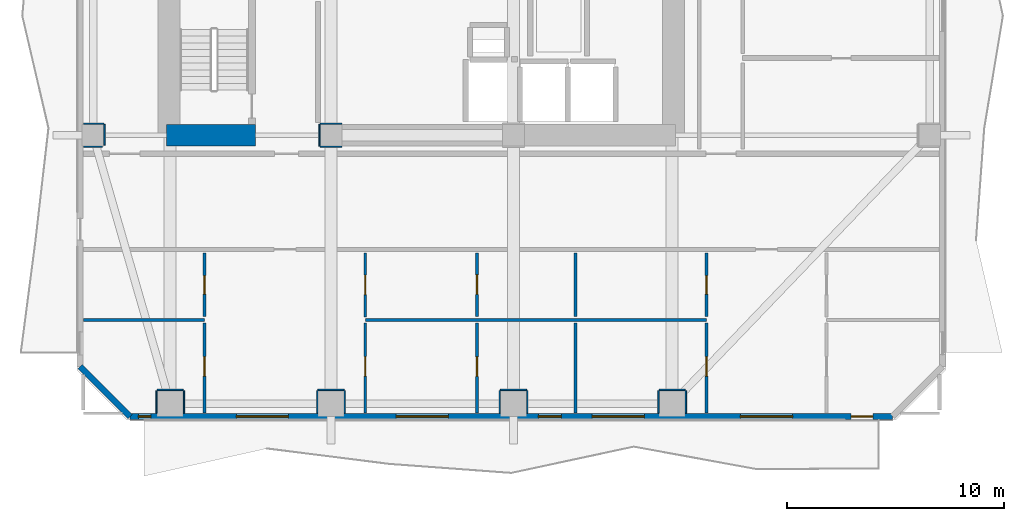
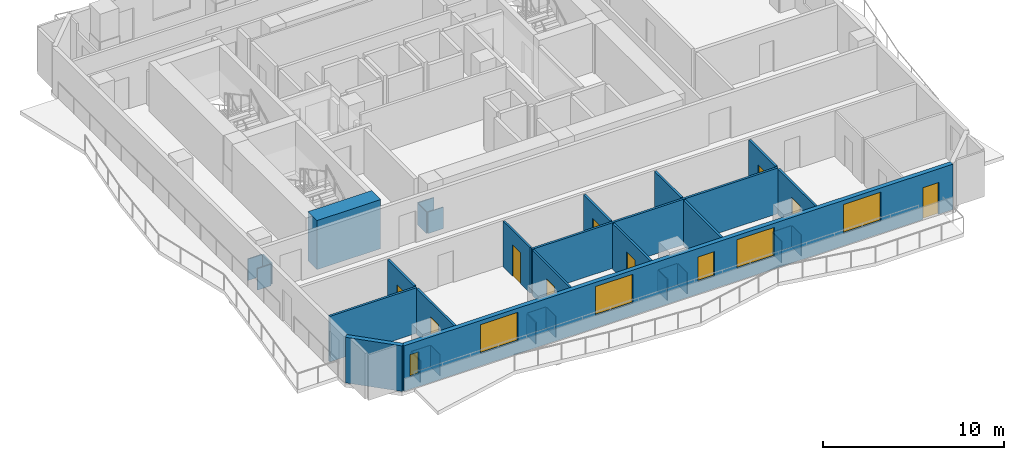
# One storey, part 2 of 9: 33 walls, 9 doors, 6 windows, 15 openings.
"""IFC4 building model written with IfcOpenShell, lengths in metres."""

from ifc_helpers import new_model, si_unit, direction, frame, frame_2d, origin, place, context, subcontext, project, spatial, rectangle, extrude, material, layer, layer_set, type_object, element, fill, save


model = new_model("IFC4")

# Units and contexts
model_context = context("Model", 3, precision=1e-05, world=origin(), true_north=direction((0.0, 1.0)))
body_context = subcontext(model_context, "Body", "Model", "MODEL_VIEW")
ifc_project = project(units=[si_unit("LENGTHUNIT", "METRE"), si_unit("AREAUNIT", "SQUARE_METRE"), si_unit("VOLUMEUNIT", "CUBIC_METRE"), si_unit("PLANEANGLEUNIT", "RADIAN"), si_unit("MASSUNIT", "GRAM", prefix="KILO")], contexts=[model_context])

# Site, building, storey
site_placement = place(None, origin())
site = spatial("IfcSite", under=ifc_project, at=site_placement, CompositionType="ELEMENT")
building_placement = place(site_placement, origin())
building = spatial("IfcBuilding", under=site, at=building_placement, Name="Solanera Arch Residences", CompositionType="ELEMENT")
storey_placement = place(building_placement, frame((0.0, 0.0, 135.9599609375)))
storey = spatial("IfcBuildingStorey", under=building, at=storey_placement, Name="L39", CompositionType="ELEMENT", Elevation=135.9599609375)

# Walls
ifc_material_1 = material(Name="Fire-Rated Gypsum Stud Partition", Category="gypsum")
ifc_layer_1 = layer(ifc_material_1, 0.06005859375)
ifc_layer_set_1 = layer_set([ifc_layer_1], Name="Fire-Rated Gypsum Stud Partition")
wall_type_1 = type_object("IfcWallType", Name="Column Acoustic Furring Wall 60", PredefinedType="PARTITIONING", material=ifc_layer_set_1)
for number, where, z_axis, x_axis, name in (
    (1, (20.300048828125, 21.468017578125, 0.0), (0.0, 0.0, 1.0), (1.0, 0.0, 0.0), "L39 Column Furring 1S"),
    (2, (20.300048828125, 22.531982421875, 0.0), (0.0, 0.0, 1.0), (1.0, 0.0, 0.0), "L39 Column Furring 1N"),
    (3, (20.26806640625, 21.5, 0.0), (0.0, 0.0, 1.0), (0.0, 1.0, 0.0), "L39 Column Furring 1W"),
):
    element("IfcWall", number, at=place(storey_placement, frame(where, z_axis=z_axis, x_axis=x_axis)), inside=storey, type_object=wall_type_1, Name=name, PredefinedType="PARTITIONING", context=body_context, shape_type="SweptSolid", body=[
        extrude(rectangle(XDim=1.0, YDim=0.06005859375, at=frame_2d((0.5, 0.0))), origin(), (0.0, 0.0, 1.0), 1.449951171875),
    ])
wall_1_placement = place(storey_placement, frame((12.800048828125, 10.281982421875, 0.0), z_axis=(0.0, 0.0, 1.0), x_axis=(1.0, 0.0, 0.0)))
element("IfcWall", 4, at=wall_1_placement, inside=storey, type_object=wall_type_1, Name="L39 Column Furring 9N", PredefinedType="PARTITIONING", context=body_context, shape_type="SweptSolid", body=[
    extrude(rectangle(XDim=1.199951171875, YDim=0.06005859375, at=frame_2d((0.60009765625, 0.0))), origin(), (0.0, 0.0, 1.0), 1.449951171875),
])
for number, where, z_axis, x_axis, name in (
    (5, (12.76806640625, 9.2099609375, 0.0), (0.0, 0.0, 1.0), (0.0, 1.0, 0.0), "L39 Column Furring 9W"),
    (6, (14.031982421875, 9.2099609375, 0.0), (0.0, 0.0, 1.0), (0.0, 1.0, 0.0), "L39 Column Furring 9E"),
):
    element("IfcWall", number, at=place(storey_placement, frame(where, z_axis=z_axis, x_axis=x_axis)), inside=storey, type_object=wall_type_1, Name=name, PredefinedType="PARTITIONING", context=body_context, shape_type="SweptSolid", body=[
        extrude(rectangle(XDim=1.0400390625, YDim=0.06005859375, at=frame_2d((0.52001953125, 0.0))), origin(), (0.0, 0.0, 1.0), 1.449951171875),
    ])
wall_2_placement = place(storey_placement, frame((20.199951171875, 10.281982421875, 0.0), z_axis=(0.0, 0.0, 1.0), x_axis=(1.0, 0.0, 0.0)))
element("IfcWall", 7, at=wall_2_placement, inside=storey, type_object=wall_type_1, Name="L39 Column Furring 11N", PredefinedType="PARTITIONING", context=body_context, shape_type="SweptSolid", body=[
    extrude(rectangle(XDim=1.199951171875, YDim=0.06005859375, at=frame_2d((0.60009765625, 0.0))), origin(), (0.0, 0.0, 1.0), 1.449951171875),
])
for number, where, z_axis, x_axis, name in (
    (8, (20.16796875, 9.2099609375, 0.0), (0.0, 0.0, 1.0), (0.0, 1.0, 0.0), "L39 Column Furring 11W"),
    (9, (21.431884765625, 9.2099609375, 0.0), (0.0, 0.0, 1.0), (0.0, 1.0, 0.0), "L39 Column Furring 11E"),
):
    element("IfcWall", number, at=place(storey_placement, frame(where, z_axis=z_axis, x_axis=x_axis)), inside=storey, type_object=wall_type_1, Name=name, PredefinedType="PARTITIONING", context=body_context, shape_type="SweptSolid", body=[
        extrude(rectangle(XDim=1.0400390625, YDim=0.06005859375, at=frame_2d((0.52001953125, 0.0))), origin(), (0.0, 0.0, 1.0), 1.449951171875),
    ])
wall_3_placement = place(storey_placement, frame((28.60009765625, 10.281982421875, 0.0), z_axis=(0.0, 0.0, 1.0), x_axis=(1.0, 0.0, 0.0)))
element("IfcWall", 10, at=wall_3_placement, inside=storey, type_object=wall_type_1, Name="L39 Column Furring 13N", PredefinedType="PARTITIONING", context=body_context, shape_type="SweptSolid", body=[
    extrude(rectangle(XDim=1.199951171875, YDim=0.06005859375, at=frame_2d((0.60009765625, 0.0))), origin(), (0.0, 0.0, 1.0), 1.449951171875),
])
for number, where, z_axis, x_axis, name in (
    (11, (28.568115234375, 9.2099609375, 0.0), (0.0, 0.0, 1.0), (0.0, 1.0, 0.0), "L39 Column Furring 13W"),
    (12, (29.83203125, 9.2099609375, 0.0), (0.0, 0.0, 1.0), (0.0, 1.0, 0.0), "L39 Column Furring 13E"),
):
    element("IfcWall", number, at=place(storey_placement, frame(where, z_axis=z_axis, x_axis=x_axis)), inside=storey, type_object=wall_type_1, Name=name, PredefinedType="PARTITIONING", context=body_context, shape_type="SweptSolid", body=[
        extrude(rectangle(XDim=1.0400390625, YDim=0.06005859375, at=frame_2d((0.52001953125, 0.0))), origin(), (0.0, 0.0, 1.0), 1.449951171875),
    ])
wall_4_placement = place(storey_placement, frame((35.89990234375, 10.281982421875, 0.0), z_axis=(0.0, 0.0, 1.0), x_axis=(1.0, 0.0, 0.0)))
element("IfcWall", 13, at=wall_4_placement, inside=storey, type_object=wall_type_1, Name="L39 Column Furring 15N", PredefinedType="PARTITIONING", context=body_context, shape_type="SweptSolid", body=[
    extrude(rectangle(XDim=1.2001953125, YDim=0.06005859375, at=frame_2d((0.60009765625, 0.0))), origin(), (0.0, 0.0, 1.0), 1.449951171875),
])
for number, where, z_axis, x_axis, name in (
    (14, (35.867919921875, 9.2099609375, 0.0), (0.0, 0.0, 1.0), (0.0, 1.0, 0.0), "L39 Column Furring 15W"),
    (15, (37.132080078125, 9.2099609375, 0.0), (0.0, 0.0, 1.0), (0.0, 1.0, 0.0), "L39 Column Furring 15E"),
):
    element("IfcWall", number, at=place(storey_placement, frame(where, z_axis=z_axis, x_axis=x_axis)), inside=storey, type_object=wall_type_1, Name=name, PredefinedType="PARTITIONING", context=body_context, shape_type="SweptSolid", body=[
        extrude(rectangle(XDim=1.0400390625, YDim=0.06005859375, at=frame_2d((0.52001953125, 0.0))), origin(), (0.0, 0.0, 1.0), 1.449951171875),
    ])
wall_5_placement = place(storey_placement, frame((9.409912109375, 21.468017578125, 0.0), z_axis=(0.0, 0.0, 1.0), x_axis=(1.0, 0.0, 0.0)))
element("IfcWall", 16, at=wall_5_placement, inside=storey, type_object=wall_type_1, Name="L39 Column Furring 17S", PredefinedType="PARTITIONING", context=body_context, shape_type="SweptSolid", body=[
    extrude(rectangle(XDim=0.87109375, YDim=0.06005859375, at=frame_2d((0.435546875, 0.0))), origin(), (0.0, 0.0, 1.0), 1.449951171875),
])
wall_6_placement = place(storey_placement, frame((9.409912109375, 22.531982421875, 0.0), z_axis=(0.0, 0.0, 1.0), x_axis=(1.0, 0.0, 0.0)))
element("IfcWall", 17, at=wall_6_placement, inside=storey, type_object=wall_type_1, Name="L39 Column Furring 17N", PredefinedType="PARTITIONING", context=body_context, shape_type="SweptSolid", body=[
    extrude(rectangle(XDim=0.940185546875, YDim=0.06005859375, at=frame_2d((0.47021484375, 0.0))), origin(), (0.0, 0.0, 1.0), 1.449951171875),
])
wall_7_placement = place(storey_placement, frame((10.382080078125, 21.5439453125, 0.0), z_axis=(0.0, 0.0, 1.0), x_axis=(0.0, 1.0, 0.0)))
element("IfcWall", 18, at=wall_7_placement, inside=storey, type_object=wall_type_1, Name="L39 Column Furring 17E", PredefinedType="PARTITIONING", context=body_context, shape_type="SweptSolid", body=[
    extrude(rectangle(XDim=0.9560546875, YDim=0.06005859375, at=frame_2d((0.47802734375, 0.0))), origin(), (0.0, 0.0, 1.0), 1.449951171875),
])
ifc_material_2 = material(Name="Concrete C55/67 (f'c = 60 MPa)", Category="concrete")
ifc_layer_2 = layer(ifc_material_2, 1.0)
ifc_layer_set_2 = layer_set([ifc_layer_2], Name="Concrete C55/67 (f'c = 60 MPa)")
wall_type_2 = type_object("IfcWallType", Name="Core Shear Wall CW-1000", PredefinedType="SHEAR", material=ifc_layer_set_2)
wall_8_placement = place(storey_placement, frame((13.239990234375, 22.0, 0.0), z_axis=(0.0, 0.0, 1.0), x_axis=(1.0, 0.0, 0.0)))
element("IfcWall", 19, at=wall_8_placement, inside=storey, type_object=wall_type_2, Name="L39 South-West Core Shear Wall", PredefinedType="SHEAR", context=body_context, shape_type="SweptSolid", body=[
    extrude(rectangle(XDim=4.080078125, YDim=1.0, at=frame_2d((2.0400390625, 0.0))), origin(), (0.0, 0.0, 1.0), 3.320068359375),
])

# Wall, openings, door, windows
ifc_material_3 = material(Name="Precast Concrete C35/45", Category="concrete")
ifc_layer_3 = layer(ifc_material_3, 0.280029296875)
ifc_layer_set_3 = layer_set([ifc_layer_3], Name="Precast Concrete C35/45")
wall_type_3 = type_object("IfcWallType", Name="Exterior Wall Precast Masonry-Frame 280", PredefinedType="STANDARD", material=ifc_layer_set_3)
wall_9_placement = place(storey_placement, frame((46.64501953125, 9.054931640625, 0.0), z_axis=(0.0, 0.0, 1.0), x_axis=(-1.0, 0.0, 0.0)))
wall_9 = element("IfcWall", 20, at=wall_9_placement, inside=storey, type_object=wall_type_3, Name="L39 Tower Exterior Precast Masonry-Frame Wall S", PredefinedType="STANDARD", context=body_context, shape_type="SweptSolid", body=[
    extrude(rectangle(XDim=35.090087890625, YDim=0.280029296875, at=frame_2d((17.544921875, 0.0))), origin(), (0.0, 0.0, 1.0), 3.080078125),
])
opening_1_placement = place(wall_9_placement, frame((0.904052734375, 0.0, 0.0)))
opening_1 = element("IfcOpeningElement", 21, at=opening_1_placement, cuts=wall_9, Name="Opening DB-01", PredefinedType="OPENING", context=body_context, shape_type="SweptSolid", body=[
    extrude(rectangle(XDim=1.0, YDim=2.14990234375, at=frame_2d((0.5, 1.074951171875))), frame((0.0, 0.14990234375, 0.0), z_axis=(0.0, -1.0, 0.0), x_axis=(1.0, 0.0, 0.0)), (0.0, 0.0, 1.0), 0.3),
])
opening_2_placement = place(wall_9_placement, frame((27.804931640625, 0.0, 0.85009765625)))
opening_2 = element("IfcOpeningElement", 22, at=opening_2_placement, cuts=wall_9, Name="Opening W-05", PredefinedType="OPENING", context=body_context, shape_type="SweptSolid", body=[
    extrude(rectangle(XDim=2.39990234375, YDim=1.949951171875, at=frame_2d((1.199951171875, 0.97509765625))), frame((0.0, 0.14990234375, 0.0), z_axis=(0.0, -1.0, 0.0), x_axis=(1.0, 0.0, 0.0)), (0.0, 0.0, 1.0), 0.3),
])
opening_3_placement = place(wall_9_placement, frame((34.133056640625, 0.0, 0.85009765625)))
opening_3 = element("IfcOpeningElement", 23, at=opening_3_placement, cuts=wall_9, Name="Opening W-14", PredefinedType="OPENING", context=body_context, shape_type="SweptSolid", body=[
    extrude(rectangle(XDim=0.580078125, YDim=1.5, at=frame_2d((0.2900390625, 0.75))), frame((0.0, 0.14990234375, 0.0), z_axis=(0.0, -1.0, 0.0), x_axis=(1.0, 0.0, 0.0)), (0.0, 0.0, 1.0), 0.3),
])
opening_4_placement = place(wall_9_placement, frame((20.445068359375, 0.0, 0.85009765625)))
opening_4 = element("IfcOpeningElement", 24, at=opening_4_placement, cuts=wall_9, Name="Opening W-05", PredefinedType="OPENING", context=body_context, shape_type="SweptSolid", body=[
    extrude(rectangle(XDim=2.39990234375, YDim=1.949951171875, at=frame_2d((1.199951171875, 0.97509765625))), frame((0.0, 0.14990234375, 0.0), z_axis=(0.0, -1.0, 0.0), x_axis=(1.0, 0.0, 0.0)), (0.0, 0.0, 1.0), 0.3),
])
opening_5_placement = place(wall_9_placement, frame((15.248046875, 0.0, 0.85009765625)))
opening_5 = element("IfcOpeningElement", 25, at=opening_5_placement, cuts=wall_9, Name="Opening W-07", PredefinedType="OPENING", context=body_context, shape_type="SweptSolid", body=[
    extrude(rectangle(XDim=1.050048828125, YDim=1.64990234375, at=frame_2d((0.52490234375, 0.824951171875))), frame((0.0, 0.14990234375, 0.0), z_axis=(0.0, -1.0, 0.0), x_axis=(1.0, 0.0, 0.0)), (0.0, 0.0, 1.0), 0.3),
])
opening_6_placement = place(wall_9_placement, frame((4.60205078125, 0.0, 0.85009765625)))
opening_6 = element("IfcOpeningElement", 26, at=opening_6_placement, cuts=wall_9, Name="Opening W-05", PredefinedType="OPENING", context=body_context, shape_type="SweptSolid", body=[
    extrude(rectangle(XDim=2.39990234375, YDim=1.949951171875, at=frame_2d((1.199951171875, 0.97509765625))), frame((0.0, 0.14990234375, 0.0), z_axis=(0.0, -1.0, 0.0), x_axis=(1.0, 0.0, 0.0)), (0.0, 0.0, 1.0), 0.3),
])
opening_7_placement = place(wall_9_placement, frame((11.423095703125, 0.0, 0.85009765625)))
opening_7 = element("IfcOpeningElement", 27, at=opening_7_placement, cuts=wall_9, Name="Opening W-05", PredefinedType="OPENING", context=body_context, shape_type="SweptSolid", body=[
    extrude(rectangle(XDim=2.39990234375, YDim=1.949951171875, at=frame_2d((1.199951171875, 0.97509765625))), frame((0.0, 0.14990234375, 0.0), z_axis=(0.0, -1.0, 0.0), x_axis=(1.0, 0.0, 0.0)), (0.0, 0.0, 1.0), 0.3),
])
ifc_material_4 = material(Name="Anodised Aluminium Alloy 6063-T6", Category="aluminium")
door_type_1 = type_object("IfcDoorType", Name="Glazed Balcony Swing Door DB-01", OperationType="NOTDEFINED", PredefinedType="DOOR", material=ifc_material_4)
door_1_placement = place(opening_1_placement, origin())
door_1 = element("IfcDoor", 28, at=door_1_placement, inside=storey, type_object=door_type_1, Name="DR-L39-OUT-01", OperationType="SINGLE_SWING_LEFT", OverallHeight=2.14990234375, OverallWidth=1.0, PredefinedType="DOOR", context=body_context, shape_type="SweptSolid", body=[
    extrude(rectangle(XDim=1.0, YDim=2.14990234375, at=frame_2d((0.5, 1.074951171875))), frame((0.0, 0.02490234375, 0.0), z_axis=(0.0, -1.0, 0.0), x_axis=(1.0, 0.0, 0.0)), (0.0, 0.0, 1.0), 0.050048828125),
])
fill(opening_1, door_1)
ifc_material_5 = material(Name="Double Glazed Low-E Laminated Glass", Category="glass")
window_type_1 = type_object("IfcWindowType", Name="Punched Window W-05", PartitioningType="TRIPLE_PANEL_VERTICAL", PredefinedType="WINDOW", material=ifc_material_5)
window_1_placement = place(opening_2_placement, origin())
window_1 = element("IfcWindow", 29, at=window_1_placement, inside=storey, type_object=window_type_1, Name="L39 3901-LIV Punched Window", OverallHeight=1.949951171875, OverallWidth=2.39990234375, PartitioningType="SINGLE_PANEL", PredefinedType="WINDOW", context=body_context, shape_type="SweptSolid", body=[
    extrude(rectangle(XDim=2.39990234375, YDim=1.949951171875, at=frame_2d((1.199951171875, 0.97509765625))), frame((0.0, 0.030029296875, 0.0), z_axis=(0.0, -1.0, 0.0), x_axis=(1.0, 0.0, 0.0)), (0.0, 0.0, 1.0), 0.06005859375),
])
fill(opening_2, window_1)
window_2_placement = place(opening_4_placement, origin())
window_2 = element("IfcWindow", 30, at=window_2_placement, inside=storey, type_object=window_type_1, Name="L39 3901-BR2 Punched Window", OverallHeight=1.949951171875, OverallWidth=2.39990234375, PartitioningType="SINGLE_PANEL", PredefinedType="WINDOW", context=body_context, shape_type="SweptSolid", body=[
    extrude(rectangle(XDim=2.39990234375, YDim=1.949951171875, at=frame_2d((1.199951171875, 0.97509765625))), frame((0.0, 0.030029296875, 0.0), z_axis=(0.0, -1.0, 0.0), x_axis=(1.0, 0.0, 0.0)), (0.0, 0.0, 1.0), 0.06005859375),
])
fill(opening_4, window_2)
window_3_placement = place(opening_6_placement, origin())
window_3 = element("IfcWindow", 31, at=window_3_placement, inside=storey, type_object=window_type_1, Name="L39 3902-LIV Punched Window", OverallHeight=1.949951171875, OverallWidth=2.39990234375, PartitioningType="SINGLE_PANEL", PredefinedType="WINDOW", context=body_context, shape_type="SweptSolid", body=[
    extrude(rectangle(XDim=2.39990234375, YDim=1.949951171875, at=frame_2d((1.199951171875, 0.97509765625))), frame((0.0, 0.030029296875, 0.0), z_axis=(0.0, -1.0, 0.0), x_axis=(1.0, 0.0, 0.0)), (0.0, 0.0, 1.0), 0.06005859375),
])
fill(opening_6, window_3)
window_4_placement = place(opening_7_placement, origin())
window_4 = element("IfcWindow", 32, at=window_4_placement, inside=storey, type_object=window_type_1, Name="L39 3902-BR1 Punched Window", OverallHeight=1.949951171875, OverallWidth=2.39990234375, PartitioningType="SINGLE_PANEL", PredefinedType="WINDOW", context=body_context, shape_type="SweptSolid", body=[
    extrude(rectangle(XDim=2.39990234375, YDim=1.949951171875, at=frame_2d((1.199951171875, 0.97509765625))), frame((0.0, 0.030029296875, 0.0), z_axis=(0.0, -1.0, 0.0), x_axis=(1.0, 0.0, 0.0)), (0.0, 0.0, 1.0), 0.06005859375),
])
fill(opening_7, window_4)
ifc_material_6 = material(Name="Double Glazed Low-E Laminated Glass", Category="glass")
window_type_2 = type_object("IfcWindowType", Name="Punched Window W-07", PartitioningType="SINGLE_PANEL", PredefinedType="WINDOW", material=ifc_material_6)
window_5_placement = place(opening_5_placement, origin())
window_5 = element("IfcWindow", 33, at=window_5_placement, inside=storey, type_object=window_type_2, Name="L39 3901-BR3 Punched Window", OverallHeight=1.64990234375, OverallWidth=1.050048828125, PartitioningType="SINGLE_PANEL", PredefinedType="WINDOW", context=body_context, shape_type="SweptSolid", body=[
    extrude(rectangle(XDim=1.050048828125, YDim=1.64990234375, at=frame_2d((0.52490234375, 0.824951171875))), frame((0.0, 0.030029296875, 0.0), z_axis=(0.0, -1.0, 0.0), x_axis=(1.0, 0.0, 0.0)), (0.0, 0.0, 1.0), 0.06005859375),
])
fill(opening_5, window_5)
ifc_material_7 = material(Name="Double Glazed Low-E Laminated Glass", Category="glass")
window_type_3 = type_object("IfcWindowType", Name="Punched Window W-14", PartitioningType="SINGLE_PANEL", PredefinedType="WINDOW", material=ifc_material_7)
window_6_placement = place(opening_3_placement, origin())
window_6 = element("IfcWindow", 34, at=window_6_placement, inside=storey, type_object=window_type_3, Name="L39 3901-BR1 Punched Window", OverallHeight=1.5, OverallWidth=0.580078125, PartitioningType="SINGLE_PANEL", PredefinedType="WINDOW", context=body_context, shape_type="SweptSolid", body=[
    extrude(rectangle(XDim=0.580078125, YDim=1.5, at=frame_2d((0.2900390625, 0.75))), frame((0.0, 0.030029296875, 0.0), z_axis=(0.0, -1.0, 0.0), x_axis=(1.0, 0.0, 0.0)), (0.0, 0.0, 1.0), 0.06005859375),
])
fill(opening_3, window_6)

# Wall
wall_10_placement = place(storey_placement, frame((11.554931640625, 9.054931640625, 0.0), z_axis=(0.0, 0.0, 1.0), x_axis=(-0.707106781187, 0.707106781187, 0.0)))
element("IfcWall", 35, at=wall_10_placement, inside=storey, type_object=wall_type_3, Name="L39 Tower Exterior Precast Masonry-Frame Wall CH7", PredefinedType="STANDARD", context=body_context, shape_type="SweptSolid", body=[
    extrude(rectangle(XDim=3.252685546875, YDim=0.280029296875, at=frame_2d((1.62646484375, 0.0))), origin(), (0.0, 0.0, 1.0), 3.080078125),
])

# Wall, opening, door
ifc_material_8 = material(Name="Fire-Rated Gypsum Stud Partition", Category="gypsum")
ifc_layer_4 = layer(ifc_material_8, 0.1201171875)
ifc_layer_set_4 = layer_set([ifc_layer_4], Name="Fire-Rated Gypsum Stud Partition")
wall_type_4 = type_object("IfcWallType", Name="Unit Drywall Partition 120", PredefinedType="PARTITIONING", material=ifc_layer_set_4)
wall_11_placement = place(storey_placement, frame((22.3798828125, 9.20703125, 0.0), z_axis=(0.0, 0.0, 1.0), x_axis=(0.0, 1.0, 0.0)))
wall_11 = element("IfcWall", 36, at=wall_11_placement, inside=storey, type_object=wall_type_4, Name="L39 Interior Partition V21 1", PredefinedType="PARTITIONING", context=body_context, shape_type="SweptSolid", body=[
    extrude(rectangle(XDim=4.158935546875, YDim=0.1201171875, at=frame_2d((2.07958984375, 0.0))), origin(), (0.0, 0.0, 1.0), 3.080078125),
])
opening_8_placement = place(wall_11_placement, frame((1.7080078125, 0.0, 0.0)))
opening_8 = element("IfcOpeningElement", 37, at=opening_8_placement, cuts=wall_11, Name="Opening DI-03", PredefinedType="OPENING", context=body_context, shape_type="SweptSolid", body=[
    extrude(rectangle(XDim=0.89990234375, YDim=2.10009765625, at=frame_2d((0.449951171875, 1.050048828125))), frame((0.0, 0.070068359375, 0.0), z_axis=(0.0, -1.0, 0.0), x_axis=(1.0, 0.0, 0.0)), (0.0, 0.0, 1.0), 0.1401),
])
ifc_material_9 = material(Name="Fire-Rated Architectural Hardwood", Category="wood")
door_type_2 = type_object("IfcDoorType", Name="Bedroom Swing Door DI-03", OperationType="NOTDEFINED", PredefinedType="DOOR", material=ifc_material_9)
door_2_placement = place(opening_8_placement, origin())
door_2 = element("IfcDoor", 38, at=door_2_placement, inside=storey, type_object=door_type_2, Name="DR-L39-IN-022", OperationType="SINGLE_SWING_LEFT", OverallHeight=2.10009765625, OverallWidth=0.89990234375, PredefinedType="DOOR", context=body_context, shape_type="SweptSolid", body=[
    extrude(rectangle(XDim=0.89990234375, YDim=2.10009765625, at=frame_2d((0.449951171875, 1.050048828125))), frame((0.0, 0.02490234375, 0.0), z_axis=(0.0, -1.0, 0.0), x_axis=(1.0, 0.0, 0.0)), (0.0, 0.0, 1.0), 0.050048828125),
])
fill(opening_8, door_2)

wall_12_placement = place(storey_placement, frame((22.3798828125, 13.64208984375, 0.0), z_axis=(0.0, 0.0, 1.0), x_axis=(0.0, 1.0, 0.0)))
wall_12 = element("IfcWall", 39, at=wall_12_placement, inside=storey, type_object=wall_type_4, Name="L39 Interior Partition V21 2", PredefinedType="PARTITIONING", context=body_context, shape_type="SweptSolid", body=[
    extrude(rectangle(XDim=2.949951171875, YDim=0.1201171875, at=frame_2d((1.47509765625, 0.0))), origin(), (0.0, 0.0, 1.0), 3.080078125),
])
opening_9_placement = place(wall_12_placement, frame((1.02197265625, 0.0, 0.0)))
opening_9 = element("IfcOpeningElement", 40, at=opening_9_placement, cuts=wall_12, Name="Opening DI-02", PredefinedType="OPENING", context=body_context, shape_type="SweptSolid", body=[
    extrude(rectangle(XDim=0.89990234375, YDim=2.10009765625, at=frame_2d((0.449951171875, 1.050048828125))), frame((0.0, 0.070068359375, 0.0), z_axis=(0.0, -1.0, 0.0), x_axis=(1.0, 0.0, 0.0)), (0.0, 0.0, 1.0), 0.1401),
])
ifc_material_10 = material(Name="Fire-Rated Architectural Hardwood", Category="wood")
door_type_3 = type_object("IfcDoorType", Name="Suite Room Swing Door DI-02", OperationType="NOTDEFINED", PredefinedType="DOOR", material=ifc_material_10)
door_3_placement = place(opening_9_placement, origin())
door_3 = element("IfcDoor", 41, at=door_3_placement, inside=storey, type_object=door_type_3, Name="DR-L39-IN-020", OperationType="SINGLE_SWING_LEFT", OverallHeight=2.10009765625, OverallWidth=0.89990234375, PredefinedType="DOOR", context=body_context, shape_type="SweptSolid", body=[
    extrude(rectangle(XDim=0.89990234375, YDim=2.10009765625, at=frame_2d((0.449951171875, 1.050048828125))), frame((0.0, 0.02490234375, 0.0), z_axis=(0.0, -1.0, 0.0), x_axis=(1.0, 0.0, 0.0)), (0.0, 0.0, 1.0), 0.050048828125),
])
fill(opening_9, door_3)

# Walls
ifc_material_11 = material(Name="Autoclaved Aerated Concrete Blockwork", Category="masonry")
ifc_layer_5 = layer(ifc_material_11, 0.139892578125)
ifc_layer_set_5 = layer_set([ifc_layer_5], Name="Autoclaved Aerated Concrete Blockwork")
wall_type_5 = type_object("IfcWallType", Name="Wet-Room Partition 140", PredefinedType="PARTITIONING", material=ifc_layer_set_5)
wall_13_placement = place(storey_placement, frame((9.406982421875, 13.50390625, 0.0), z_axis=(0.0, 0.0, 1.0), x_axis=(1.0, 0.0, 0.0)))
element("IfcWall", 42, at=wall_13_placement, inside=storey, type_object=wall_type_5, Name="L39 Interior Partition H14", PredefinedType="PARTITIONING", context=body_context, shape_type="SweptSolid", body=[
    extrude(rectangle(XDim=5.572998046875, YDim=0.139892578125, at=frame_2d((2.78662109375, 0.0))), origin(), (0.0, 0.0, 1.0), 3.080078125),
])
wall_14_placement = place(storey_placement, frame((22.3798828125, 13.50390625, 0.0), z_axis=(0.0, 0.0, 1.0), x_axis=(1.0, 0.0, 0.0)))
element("IfcWall", 43, at=wall_14_placement, inside=storey, type_object=wall_type_5, Name="L39 Interior Partition H15", PredefinedType="PARTITIONING", context=body_context, shape_type="SweptSolid", body=[
    extrude(rectangle(XDim=15.7001953125, YDim=0.139892578125, at=frame_2d((7.85009765625, 0.0))), origin(), (0.0, 0.0, 1.0), 3.080078125),
])

# Wall, opening, door
wall_15_placement = place(storey_placement, frame((14.97998046875, 9.20703125, 0.0), z_axis=(0.0, 0.0, 1.0), x_axis=(0.0, 1.0, 0.0)))
wall_15 = element("IfcWall", 44, at=wall_15_placement, inside=storey, type_object=wall_type_5, Name="L39 Interior Partition V14 1", PredefinedType="PARTITIONING", context=body_context, shape_type="SweptSolid", body=[
    extrude(rectangle(XDim=4.14892578125, YDim=0.139892578125, at=frame_2d((2.074462890625, 0.0))), origin(), (0.0, 0.0, 1.0), 3.080078125),
])
opening_10_placement = place(wall_15_placement, frame((1.7080078125, 0.0, 0.0)))
opening_10 = element("IfcOpeningElement", 45, at=opening_10_placement, cuts=wall_15, Name="Opening DI-03", PredefinedType="OPENING", context=body_context, shape_type="SweptSolid", body=[
    extrude(rectangle(XDim=0.89990234375, YDim=2.10009765625, at=frame_2d((0.449951171875, 1.050048828125))), frame((0.0, 0.079833984375, 0.0), z_axis=(0.0, -1.0, 0.0), x_axis=(1.0, 0.0, 0.0)), (0.0, 0.0, 1.0), 0.1599),
])
door_4_placement = place(opening_10_placement, origin())
door_4 = element("IfcDoor", 46, at=door_4_placement, inside=storey, type_object=door_type_2, Name="DR-L39-IN-019", OperationType="SINGLE_SWING_RIGHT", OverallHeight=2.10009765625, OverallWidth=0.89990234375, PredefinedType="DOOR", context=body_context, shape_type="SweptSolid", body=[
    extrude(rectangle(XDim=0.89990234375, YDim=2.10009765625, at=frame_2d((0.449951171875, 1.050048828125))), frame((0.0, 0.02490234375, 0.0), z_axis=(0.0, -1.0, 0.0), x_axis=(1.0, 0.0, 0.0)), (0.0, 0.0, 1.0), 0.050048828125),
])
fill(opening_10, door_4)

wall_16_placement = place(storey_placement, frame((14.97998046875, 13.652099609375, 0.0), z_axis=(0.0, 0.0, 1.0), x_axis=(0.0, 1.0, 0.0)))
wall_16 = element("IfcWall", 47, at=wall_16_placement, inside=storey, type_object=wall_type_5, Name="L39 Interior Partition V14 2", PredefinedType="PARTITIONING", context=body_context, shape_type="SweptSolid", body=[
    extrude(rectangle(XDim=2.929931640625, YDim=0.139892578125, at=frame_2d((1.46484375, 0.0))), origin(), (0.0, 0.0, 1.0), 3.080078125),
])
opening_11_placement = place(wall_16_placement, frame((1.031982421875, 0.0, 0.0)))
opening_11 = element("IfcOpeningElement", 48, at=opening_11_placement, cuts=wall_16, Name="Opening DI-05", PredefinedType="OPENING", context=body_context, shape_type="SweptSolid", body=[
    extrude(rectangle(XDim=0.860107421875, YDim=2.02001953125, at=frame_2d((0.43017578125, 1.010009765625))), frame((0.0, 0.079833984375, 0.0), z_axis=(0.0, -1.0, 0.0), x_axis=(1.0, 0.0, 0.0)), (0.0, 0.0, 1.0), 0.1599),
])
ifc_material_12 = material(Name="Fire-Rated Architectural Hardwood", Category="wood")
door_type_4 = type_object("IfcDoorType", Name="Bathroom Swing Door DI-05", OperationType="NOTDEFINED", PredefinedType="DOOR", material=ifc_material_12)
door_5_placement = place(opening_11_placement, origin())
door_5 = element("IfcDoor", 49, at=door_5_placement, inside=storey, type_object=door_type_4, Name="DR-L39-IN-018", OperationType="SINGLE_SWING_LEFT", OverallHeight=2.02001953125, OverallWidth=0.860107421875, PredefinedType="DOOR", context=body_context, shape_type="SweptSolid", body=[
    extrude(rectangle(XDim=0.860107421875, YDim=2.02001953125, at=frame_2d((0.43017578125, 1.010009765625))), frame((0.0, 0.02490234375, 0.0), z_axis=(0.0, -1.0, 0.0), x_axis=(1.0, 0.0, 0.0)), (0.0, 0.0, 1.0), 0.050048828125),
])
fill(opening_11, door_5)

wall_17_placement = place(storey_placement, frame((27.52001953125, 9.20703125, 0.0), z_axis=(0.0, 0.0, 1.0), x_axis=(0.0, 1.0, 0.0)))
wall_17 = element("IfcWall", 50, at=wall_17_placement, inside=storey, type_object=wall_type_5, Name="L39 Interior Partition V15 1", PredefinedType="PARTITIONING", context=body_context, shape_type="SweptSolid", body=[
    extrude(rectangle(XDim=4.14892578125, YDim=0.139892578125, at=frame_2d((2.074462890625, 0.0))), origin(), (0.0, 0.0, 1.0), 3.080078125),
])
opening_12_placement = place(wall_17_placement, frame((1.695068359375, 0.0, 0.0)))
opening_12 = element("IfcOpeningElement", 51, at=opening_12_placement, cuts=wall_17, Name="Opening DI-03", PredefinedType="OPENING", context=body_context, shape_type="SweptSolid", body=[
    extrude(rectangle(XDim=0.89990234375, YDim=2.10009765625, at=frame_2d((0.449951171875, 1.050048828125))), frame((0.0, 0.079833984375, 0.0), z_axis=(0.0, -1.0, 0.0), x_axis=(1.0, 0.0, 0.0)), (0.0, 0.0, 1.0), 0.1599),
])
door_6_placement = place(opening_12_placement, origin())
door_6 = element("IfcDoor", 52, at=door_6_placement, inside=storey, type_object=door_type_2, Name="DR-L39-IN-023", OperationType="SINGLE_SWING_RIGHT", OverallHeight=2.10009765625, OverallWidth=0.89990234375, PredefinedType="DOOR", context=body_context, shape_type="SweptSolid", body=[
    extrude(rectangle(XDim=0.89990234375, YDim=2.10009765625, at=frame_2d((0.449951171875, 1.050048828125))), frame((0.0, 0.02490234375, 0.0), z_axis=(0.0, -1.0, 0.0), x_axis=(1.0, 0.0, 0.0)), (0.0, 0.0, 1.0), 0.050048828125),
])
fill(opening_12, door_6)

wall_18_placement = place(storey_placement, frame((27.52001953125, 13.652099609375, 0.0), z_axis=(0.0, 0.0, 1.0), x_axis=(0.0, 1.0, 0.0)))
wall_18 = element("IfcWall", 53, at=wall_18_placement, inside=storey, type_object=wall_type_5, Name="L39 Interior Partition V15 2", PredefinedType="PARTITIONING", context=body_context, shape_type="SweptSolid", body=[
    extrude(rectangle(XDim=2.929931640625, YDim=0.139892578125, at=frame_2d((1.46484375, 0.0))), origin(), (0.0, 0.0, 1.0), 3.080078125),
])
opening_13_placement = place(wall_18_placement, frame((1.02490234375, 0.0, 0.0)))
opening_13 = element("IfcOpeningElement", 54, at=opening_13_placement, cuts=wall_18, Name="Opening DI-02", PredefinedType="OPENING", context=body_context, shape_type="SweptSolid", body=[
    extrude(rectangle(XDim=0.89990234375, YDim=2.10009765625, at=frame_2d((0.449951171875, 1.050048828125))), frame((0.0, 0.079833984375, 0.0), z_axis=(0.0, -1.0, 0.0), x_axis=(1.0, 0.0, 0.0)), (0.0, 0.0, 1.0), 0.1599),
])
door_7_placement = place(opening_13_placement, origin())
door_7 = element("IfcDoor", 55, at=door_7_placement, inside=storey, type_object=door_type_3, Name="DR-L39-IN-021", OperationType="SINGLE_SWING_RIGHT", OverallHeight=2.10009765625, OverallWidth=0.89990234375, PredefinedType="DOOR", context=body_context, shape_type="SweptSolid", body=[
    extrude(rectangle(XDim=0.89990234375, YDim=2.10009765625, at=frame_2d((0.449951171875, 1.050048828125))), frame((0.0, 0.02490234375, 0.0), z_axis=(0.0, -1.0, 0.0), x_axis=(1.0, 0.0, 0.0)), (0.0, 0.0, 1.0), 0.050048828125),
])
fill(opening_13, door_7)

# Walls
wall_19_placement = place(storey_placement, frame((32.0439453125, 9.20703125, 0.0), z_axis=(0.0, 0.0, 1.0), x_axis=(0.0, 1.0, 0.0)))
element("IfcWall", 56, at=wall_19_placement, inside=storey, type_object=wall_type_5, Name="L39 Interior Partition V18 1", PredefinedType="PARTITIONING", context=body_context, shape_type="SweptSolid", body=[
    extrude(rectangle(XDim=4.14892578125, YDim=0.139892578125, at=frame_2d((2.074462890625, 0.0))), origin(), (0.0, 0.0, 1.0), 3.080078125),
])
wall_20_placement = place(storey_placement, frame((32.0439453125, 13.652099609375, 0.0), z_axis=(0.0, 0.0, 1.0), x_axis=(0.0, 1.0, 0.0)))
element("IfcWall", 57, at=wall_20_placement, inside=storey, type_object=wall_type_5, Name="L39 Interior Partition V18 2", PredefinedType="PARTITIONING", context=body_context, shape_type="SweptSolid", body=[
    extrude(rectangle(XDim=2.929931640625, YDim=0.139892578125, at=frame_2d((1.46484375, 0.0))), origin(), (0.0, 0.0, 1.0), 3.080078125),
])

# Wall, opening, door
wall_21_placement = place(storey_placement, frame((38.080078125, 9.20703125, 0.0), z_axis=(0.0, 0.0, 1.0), x_axis=(0.0, 1.0, 0.0)))
wall_21 = element("IfcWall", 58, at=wall_21_placement, inside=storey, type_object=wall_type_5, Name="L39 Interior Partition V19 1", PredefinedType="PARTITIONING", context=body_context, shape_type="SweptSolid", body=[
    extrude(rectangle(XDim=4.14892578125, YDim=0.139892578125, at=frame_2d((2.074462890625, 0.0))), origin(), (0.0, 0.0, 1.0), 3.080078125),
])
opening_14_placement = place(wall_21_placement, frame((1.7080078125, 0.0, 0.0)))
opening_14 = element("IfcOpeningElement", 59, at=opening_14_placement, cuts=wall_21, Name="Opening DI-03", PredefinedType="OPENING", context=body_context, shape_type="SweptSolid", body=[
    extrude(rectangle(XDim=0.89990234375, YDim=2.10009765625, at=frame_2d((0.449951171875, 1.050048828125))), frame((0.0, 0.079833984375, 0.0), z_axis=(0.0, -1.0, 0.0), x_axis=(1.0, 0.0, 0.0)), (0.0, 0.0, 1.0), 0.1599),
])
door_8_placement = place(opening_14_placement, origin())
door_8 = element("IfcDoor", 60, at=door_8_placement, inside=storey, type_object=door_type_2, Name="DR-L39-IN-026", OperationType="SINGLE_SWING_LEFT", OverallHeight=2.10009765625, OverallWidth=0.89990234375, PredefinedType="DOOR", context=body_context, shape_type="SweptSolid", body=[
    extrude(rectangle(XDim=0.89990234375, YDim=2.10009765625, at=frame_2d((0.449951171875, 1.050048828125))), frame((0.0, 0.02490234375, 0.0), z_axis=(0.0, -1.0, 0.0), x_axis=(1.0, 0.0, 0.0)), (0.0, 0.0, 1.0), 0.050048828125),
])
fill(opening_14, door_8)

wall_22_placement = place(storey_placement, frame((38.080078125, 13.652099609375, 0.0), z_axis=(0.0, 0.0, 1.0), x_axis=(0.0, 1.0, 0.0)))
wall_22 = element("IfcWall", 61, at=wall_22_placement, inside=storey, type_object=wall_type_5, Name="L39 Interior Partition V19 2", PredefinedType="PARTITIONING", context=body_context, shape_type="SweptSolid", body=[
    extrude(rectangle(XDim=2.929931640625, YDim=0.139892578125, at=frame_2d((1.46484375, 0.0))), origin(), (0.0, 0.0, 1.0), 3.080078125),
])
opening_15_placement = place(wall_22_placement, frame((1.031982421875, 0.0, 0.0)))
opening_15 = element("IfcOpeningElement", 62, at=opening_15_placement, cuts=wall_22, Name="Opening DI-05", PredefinedType="OPENING", context=body_context, shape_type="SweptSolid", body=[
    extrude(rectangle(XDim=0.860107421875, YDim=2.02001953125, at=frame_2d((0.43017578125, 1.010009765625))), frame((0.0, 0.079833984375, 0.0), z_axis=(0.0, -1.0, 0.0), x_axis=(1.0, 0.0, 0.0)), (0.0, 0.0, 1.0), 0.1599),
])
door_9_placement = place(opening_15_placement, origin())
door_9 = element("IfcDoor", 63, at=door_9_placement, inside=storey, type_object=door_type_4, Name="DR-L39-IN-025", OperationType="SINGLE_SWING_RIGHT", OverallHeight=2.02001953125, OverallWidth=0.860107421875, PredefinedType="DOOR", context=body_context, shape_type="SweptSolid", body=[
    extrude(rectangle(XDim=0.860107421875, YDim=2.02001953125, at=frame_2d((0.43017578125, 1.010009765625))), frame((0.0, 0.02490234375, 0.0), z_axis=(0.0, -1.0, 0.0), x_axis=(1.0, 0.0, 0.0)), (0.0, 0.0, 1.0), 0.050048828125),
])
fill(opening_15, door_9)

save(model, "model.ifc")
